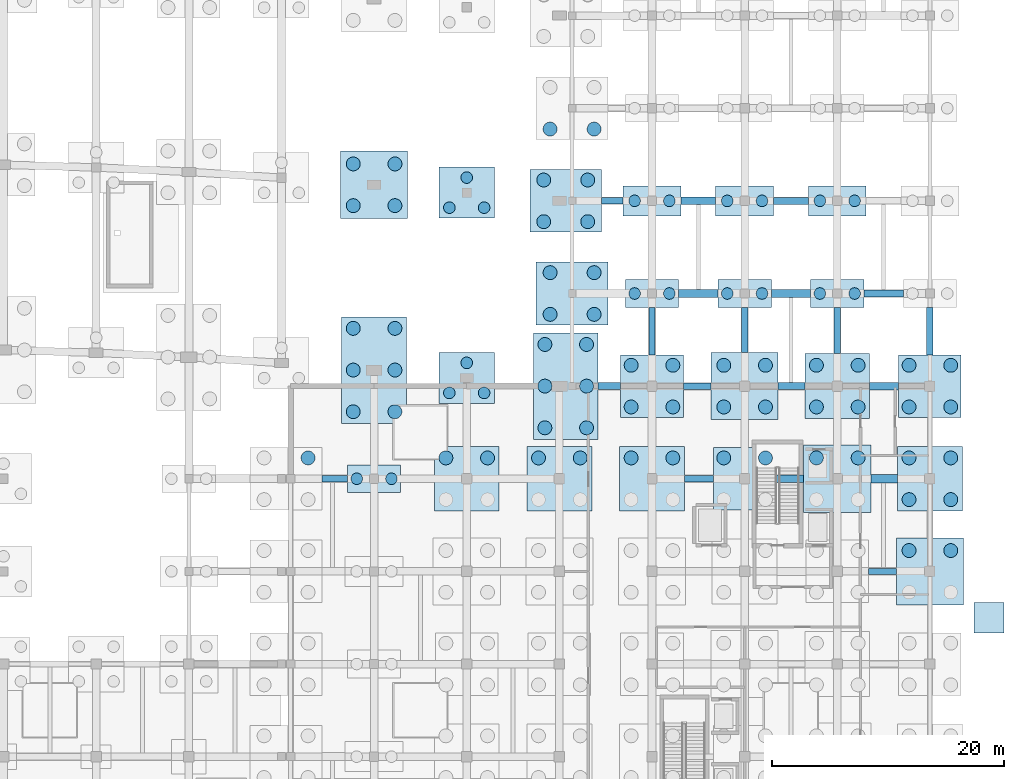
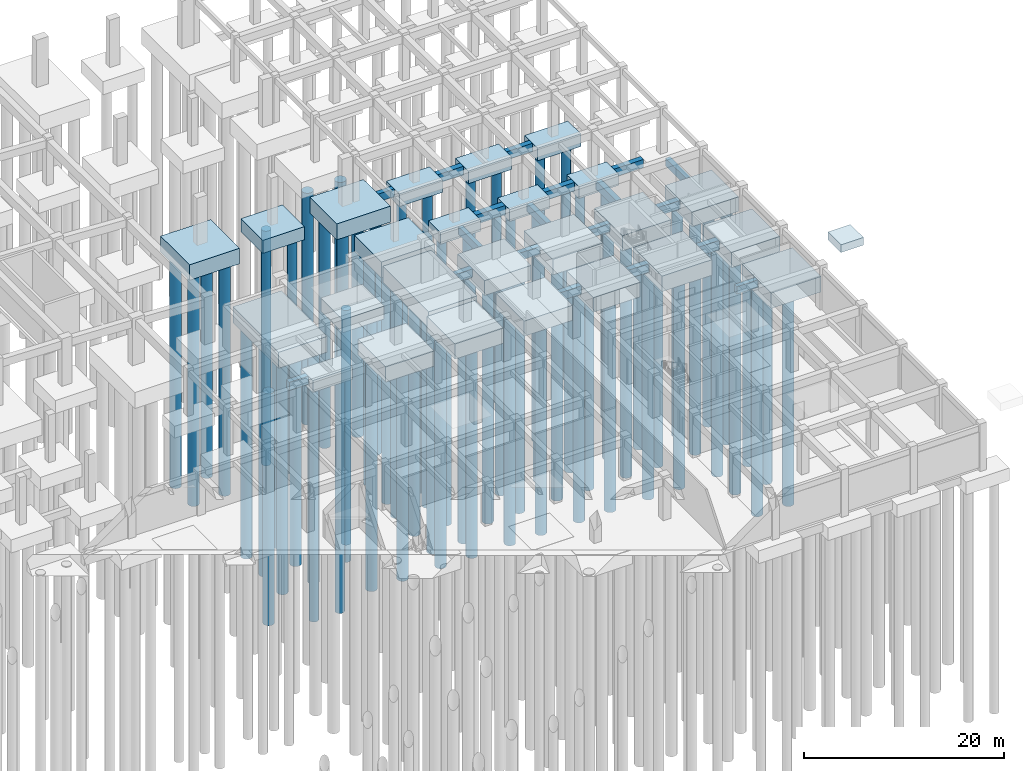
# One storey, part 8 of 45: 79 piles, 45 footings.
"""IFC4 building model written with IfcOpenShell, lengths in metres."""

from ifc_helpers import new_model, si_unit, direction, frame, origin, origin_2d, place, context, subcontext, project, spatial, rectangle, circle, extrude, material, material_profile, profile_set, type_object, element, save


model = new_model("IFC4")

# Units and contexts
model_context = context("Model", 3, precision=1e-05, world=origin(), true_north=direction((0.0, 1.0)))
body_context = subcontext(model_context, "Body", "Model", "MODEL_VIEW")
ifc_project = project(units=[si_unit("LENGTHUNIT", "METRE"), si_unit("AREAUNIT", "SQUARE_METRE"), si_unit("VOLUMEUNIT", "CUBIC_METRE"), si_unit("PLANEANGLEUNIT", "RADIAN"), si_unit("MASSUNIT", "GRAM", prefix="KILO")], contexts=[model_context])

# Site, building, storey
site_placement = place(None, origin())
site = spatial("IfcSite", under=ifc_project, at=site_placement, CompositionType="ELEMENT")
building_placement = place(site_placement, origin())
building = spatial("IfcBuilding", under=site, at=building_placement, Name="Kenh Van Central Station", CompositionType="ELEMENT")
storey_placement = place(building_placement, frame((0.0, 0.0, -5.39990234375)))
storey = spatial("IfcBuildingStorey", under=building, at=storey_placement, Name="B1", CompositionType="ELEMENT", Elevation=-5.39990234375)

# Footings
ifc_material = material(Name="Concrete C40/50", Category="concrete")
ifc_material_profile_1 = material_profile(ifc_material, rectangle(XDim=0.5, YDim=0.89990234375, at=origin_2d()), Name="RC 500x900")
ifc_profile_set_1 = profile_set([ifc_material_profile_1], Name="Concrete C40/50")
footing_type_1 = type_object("IfcFootingType", Name="FBM-500x900", PredefinedType="FOOTING_BEAM", material=ifc_profile_set_1)
footing_1_placement = place(storey_placement, frame((152.0, 66.699951171875, -0.85009765625), z_axis=(0.0, 1.0, 0.0), x_axis=(-1.0, 0.0, 0.0)))
element("IfcFooting", 1, at=footing_1_placement, inside=storey, type_object=footing_type_1, Name="Ground tie beam 109", PredefinedType="FOOTING_BEAM", context=body_context, shape_type="SweptSolid", body=[
    extrude(rectangle(XDim=0.5, YDim=0.89990234375, at=origin_2d()), origin(), (0.0, 0.0, 1.0), 4.10009765625),
])
footing_2_placement = place(storey_placement, frame((170.699951171875, 48.0, -0.85009765625), z_axis=(1.0, 0.0, 0.0), x_axis=(0.0, 1.0, 0.0)))
element("IfcFooting", 2, at=footing_2_placement, inside=storey, type_object=footing_type_1, Name="Ground tie beam 124", PredefinedType="FOOTING_BEAM", context=body_context, shape_type="SweptSolid", body=[
    extrude(rectangle(XDim=0.5, YDim=0.89990234375, at=origin_2d()), origin(), (0.0, 0.0, 1.0), 2.400146484375),
])
ifc_material_profile_2 = material_profile(ifc_material, rectangle(XDim=0.550048828125, YDim=0.949951171875, at=origin_2d()), Name="RC 550x950")
ifc_profile_set_2 = profile_set([ifc_material_profile_2], Name="Concrete C40/50")
footing_type_2 = type_object("IfcFootingType", Name="FBM-550x950", PredefinedType="FOOTING_BEAM", material=ifc_profile_set_2)
footing_3_placement = place(storey_placement, frame((147.64990234375, 80.0, -0.875), z_axis=(1.0, 0.0, 0.0), x_axis=(0.0, 1.0, 0.0)))
element("IfcFooting", 3, at=footing_3_placement, inside=storey, type_object=footing_type_2, Name="Ground tie beam 003", PredefinedType="FOOTING_BEAM", context=body_context, shape_type="SweptSolid", body=[
    extrude(rectangle(XDim=0.550048828125, YDim=0.949951171875, at=origin_2d()), origin(), (0.0, 0.0, 1.0), 1.85009765625),
])
footing_4_placement = place(storey_placement, frame((154.699951171875, 64.0, -0.875), z_axis=(1.0, 0.0, 0.0), x_axis=(0.0, 1.0, 0.0)))
element("IfcFooting", 4, at=footing_4_placement, inside=storey, type_object=footing_type_2, Name="Ground tie beam 108", PredefinedType="FOOTING_BEAM", context=body_context, shape_type="SweptSolid", body=[
    extrude(rectangle(XDim=0.550048828125, YDim=0.949951171875, at=origin_2d()), origin(), (0.0, 0.0, 1.0), 2.400146484375),
])
footing_5_placement = place(storey_placement, frame((160.0, 66.89990234375, -0.875), z_axis=(0.0, 1.0, 0.0), x_axis=(-1.0, 0.0, 0.0)))
element("IfcFooting", 5, at=footing_5_placement, inside=storey, type_object=footing_type_2, Name="Ground tie beam 118", PredefinedType="FOOTING_BEAM", context=body_context, shape_type="SweptSolid", body=[
    extrude(rectangle(XDim=0.550048828125, YDim=0.949951171875, at=origin_2d()), origin(), (0.0, 0.0, 1.0), 3.900146484375),
])
footing_6_placement = place(storey_placement, frame((176.0, 66.699951171875, -0.875), z_axis=(0.0, 1.0, 0.0), x_axis=(-1.0, 0.0, 0.0)))
element("IfcFooting", 6, at=footing_6_placement, inside=storey, type_object=footing_type_2, Name="Ground tie beam 128", PredefinedType="FOOTING_BEAM", context=body_context, shape_type="SweptSolid", body=[
    extrude(rectangle(XDim=0.550048828125, YDim=0.949951171875, at=origin_2d()), origin(), (0.0, 0.0, 1.0), 4.10009765625),
])
ifc_material_profile_3 = material_profile(ifc_material, rectangle(XDim=0.60009765625, YDim=1.0, at=origin_2d()), Name="RC 600x1000")
ifc_profile_set_3 = profile_set([ifc_material_profile_3], Name="Concrete C40/50")
footing_type_3 = type_object("IfcFootingType", Name="FBM-600x1000", PredefinedType="FOOTING_BEAM", material=ifc_profile_set_3)
footing_7_placement = place(storey_placement, frame((147.35009765625, 64.0, -0.900146484375), z_axis=(1.0, 0.0, 0.0), x_axis=(0.0, 1.0, 0.0)))
element("IfcFooting", 7, at=footing_7_placement, inside=storey, type_object=footing_type_3, Name="Ground tie beam 002", PredefinedType="FOOTING_BEAM", context=body_context, shape_type="SweptSolid", body=[
    extrude(rectangle(XDim=0.60009765625, YDim=1.0, at=origin_2d()), origin(), (0.0, 0.0, 1.0), 1.949951171875),
])
footing_8_placement = place(storey_placement, frame((123.5, 56.0, -0.900146484375), z_axis=(1.0, 0.0, 0.0), x_axis=(0.0, 1.0, 0.0)))
element("IfcFooting", 8, at=footing_8_placement, inside=storey, type_object=footing_type_3, Name="Ground tie beam 092", PredefinedType="FOOTING_BEAM", context=body_context, shape_type="SweptSolid", body=[
    extrude(rectangle(XDim=0.60009765625, YDim=1.0, at=origin_2d()), origin(), (0.0, 0.0, 1.0), 2.199951171875),
])
footing_9_placement = place(storey_placement, frame((154.800048828125, 56.0, -0.900146484375), z_axis=(1.0, 0.0, 0.0), x_axis=(0.0, 1.0, 0.0)))
element("IfcFooting", 9, at=footing_9_placement, inside=storey, type_object=footing_type_3, Name="Ground tie beam 107", PredefinedType="FOOTING_BEAM", context=body_context, shape_type="SweptSolid", body=[
    extrude(rectangle(XDim=0.60009765625, YDim=1.0, at=origin_2d()), origin(), (0.0, 0.0, 1.0), 2.5),
])
footing_10_placement = place(storey_placement, frame((162.89990234375, 64.0, -0.900146484375), z_axis=(1.0, 0.0, 0.0), x_axis=(0.0, 1.0, 0.0)))
element("IfcFooting", 10, at=footing_10_placement, inside=storey, type_object=footing_type_3, Name="Ground tie beam 117", PredefinedType="FOOTING_BEAM", context=body_context, shape_type="SweptSolid", body=[
    extrude(rectangle(XDim=0.60009765625, YDim=1.0, at=origin_2d()), origin(), (0.0, 0.0, 1.0), 2.300048828125),
])
footing_11_placement = place(storey_placement, frame((168.0, 66.800048828125, -0.900146484375), z_axis=(0.0, 1.0, 0.0), x_axis=(-1.0, 0.0, 0.0)))
element("IfcFooting", 11, at=footing_11_placement, inside=storey, type_object=footing_type_3, Name="Ground tie beam 127", PredefinedType="FOOTING_BEAM", context=body_context, shape_type="SweptSolid", body=[
    extrude(rectangle(XDim=0.60009765625, YDim=1.0, at=origin_2d()), origin(), (0.0, 0.0, 1.0), 4.0),
])
footing_12_placement = place(storey_placement, frame((162.5, 80.0, -0.900146484375), z_axis=(1.0, 0.0, 0.0), x_axis=(0.0, 1.0, 0.0)))
element("IfcFooting", 12, at=footing_12_placement, inside=storey, type_object=footing_type_3, Name="Ground tie beam 137", PredefinedType="FOOTING_BEAM", context=body_context, shape_type="SweptSolid", body=[
    extrude(rectangle(XDim=0.60009765625, YDim=1.0, at=origin_2d()), origin(), (0.0, 0.0, 1.0), 3.0),
])
footing_13_placement = place(storey_placement, frame((170.300048828125, 72.0, -0.900146484375), z_axis=(1.0, 0.0, 0.0), x_axis=(0.0, 1.0, 0.0)))
element("IfcFooting", 13, at=footing_13_placement, inside=storey, type_object=footing_type_3, Name="Ground tie beam 142", PredefinedType="FOOTING_BEAM", context=body_context, shape_type="SweptSolid", body=[
    extrude(rectangle(XDim=0.60009765625, YDim=1.0, at=origin_2d()), origin(), (0.0, 0.0, 1.0), 3.39990234375),
])
ifc_material_profile_4 = material_profile(ifc_material, rectangle(XDim=0.64990234375, YDim=1.050048828125, at=origin_2d()), Name="RC 650x1050")
ifc_profile_set_4 = profile_set([ifc_material_profile_4], Name="Concrete C40/50")
footing_type_4 = type_object("IfcFootingType", Name="FBM-650x1050", PredefinedType="FOOTING_BEAM", material=ifc_profile_set_4)
footing_14_placement = place(storey_placement, frame((162.699951171875, 56.0, -0.925048828125), z_axis=(1.0, 0.0, 0.0), x_axis=(0.0, 1.0, 0.0)))
element("IfcFooting", 14, at=footing_14_placement, inside=storey, type_object=footing_type_4, Name="Ground tie beam 116", PredefinedType="FOOTING_BEAM", context=body_context, shape_type="SweptSolid", body=[
    extrude(rectangle(XDim=0.64990234375, YDim=1.050048828125, at=origin_2d()), origin(), (0.0, 0.0, 1.0), 2.400146484375),
])
footing_15_placement = place(storey_placement, frame((170.800048828125, 64.0, -0.925048828125), z_axis=(1.0, 0.0, 0.0), x_axis=(0.0, 1.0, 0.0)))
element("IfcFooting", 15, at=footing_15_placement, inside=storey, type_object=footing_type_4, Name="Ground tie beam 126", PredefinedType="FOOTING_BEAM", context=body_context, shape_type="SweptSolid", body=[
    extrude(rectangle(XDim=0.64990234375, YDim=1.050048828125, at=origin_2d()), origin(), (0.0, 0.0, 1.0), 2.5),
])
footing_16_placement = place(storey_placement, frame((154.5, 80.0, -0.925048828125), z_axis=(1.0, 0.0, 0.0), x_axis=(0.0, 1.0, 0.0)))
element("IfcFooting", 16, at=footing_16_placement, inside=storey, type_object=footing_type_4, Name="Ground tie beam 131", PredefinedType="FOOTING_BEAM", context=body_context, shape_type="SweptSolid", body=[
    extrude(rectangle(XDim=0.64990234375, YDim=1.050048828125, at=origin_2d()), origin(), (0.0, 0.0, 1.0), 3.0),
])
footing_17_placement = place(storey_placement, frame((162.300048828125, 72.0, -0.925048828125), z_axis=(1.0, 0.0, 0.0), x_axis=(0.0, 1.0, 0.0)))
element("IfcFooting", 17, at=footing_17_placement, inside=storey, type_object=footing_type_4, Name="Ground tie beam 136", PredefinedType="FOOTING_BEAM", context=body_context, shape_type="SweptSolid", body=[
    extrude(rectangle(XDim=0.64990234375, YDim=1.050048828125, at=origin_2d()), origin(), (0.0, 0.0, 1.0), 3.39990234375),
])
ifc_material_profile_5 = material_profile(ifc_material, rectangle(XDim=0.699951171875, YDim=1.14990234375, at=origin_2d()), Name="RC 700x1150")
ifc_profile_set_5 = profile_set([ifc_material_profile_5], Name="Concrete C40/50")
footing_type_5 = type_object("IfcFootingType", Name="FBM-700x1150", PredefinedType="FOOTING_BEAM", material=ifc_profile_set_5)
footing_18_placement = place(storey_placement, frame((170.89990234375, 56.0, -0.97509765625), z_axis=(1.0, 0.0, 0.0), x_axis=(0.0, 1.0, 0.0)))
element("IfcFooting", 18, at=footing_18_placement, inside=storey, type_object=footing_type_5, Name="Ground tie beam 125", PredefinedType="FOOTING_BEAM", context=body_context, shape_type="SweptSolid", body=[
    extrude(rectangle(XDim=0.699951171875, YDim=1.14990234375, at=origin_2d()), origin(), (0.0, 0.0, 1.0), 2.300048828125),
])
footing_19_placement = place(storey_placement, frame((154.300048828125, 72.0, -0.97509765625), z_axis=(1.0, 0.0, 0.0), x_axis=(0.0, 1.0, 0.0)))
element("IfcFooting", 19, at=footing_19_placement, inside=storey, type_object=footing_type_5, Name="Ground tie beam 130", PredefinedType="FOOTING_BEAM", context=body_context, shape_type="SweptSolid", body=[
    extrude(rectangle(XDim=0.699951171875, YDim=1.14990234375, at=origin_2d()), origin(), (0.0, 0.0, 1.0), 3.39990234375),
])
footing_type_6 = type_object("IfcFootingType", Name="FCAP-2P-4600x2400x1450", PredefinedType="PILE_CAP", material=ifc_material)
for number, where, z_axis, x_axis, name in (
    (20, (128.0, 56.0, -1.85009765625), (0.0, 0.0, 1.0), (1.0, 0.0, 0.0), "Foundation FDN-197"),
    (21, (152.0, 72.0, -1.85009765625), (0.0, 0.0, 1.0), (1.0, 0.0, 0.0), "Foundation FDN-247"),
    (22, (160.0, 72.0, -1.85009765625), (0.0, 0.0, 1.0), (1.0, 0.0, 0.0), "Foundation FDN-253"),
    (23, (168.0, 72.0, -1.85009765625), (0.0, 0.0, 1.0), (1.0, 0.0, 0.0), "Foundation FDN-259"),
):
    element("IfcFooting", number, at=place(storey_placement, frame(where, z_axis=z_axis, x_axis=x_axis)), inside=storey, type_object=footing_type_6, Name=name, PredefinedType="PILE_CAP", context=body_context, shape_type="SweptSolid", body=[
        extrude(rectangle(XDim=4.60009765625, YDim=2.39990234375, at=origin_2d()), origin(), (0.0, 0.0, 1.0), 1.449951171875),
    ])
footing_type_7 = type_object("IfcFootingType", Name="FCAP-2P-5000x2600x1550", PredefinedType="PILE_CAP", material=ifc_material)
for number, where, z_axis, x_axis, name in (
    (24, (152.0, 80.0, -1.9501953125), (0.0, 0.0, 1.0), (1.0, 0.0, 0.0), "Foundation FDN-248"),
    (25, (160.0, 80.0, -1.9501953125), (0.0, 0.0, 1.0), (1.0, 0.0, 0.0), "Foundation FDN-254"),
    (26, (168.0, 80.0, -1.9501953125), (0.0, 0.0, 1.0), (1.0, 0.0, 0.0), "Foundation FDN-260"),
):
    element("IfcFooting", number, at=place(storey_placement, frame(where, z_axis=z_axis, x_axis=x_axis)), inside=storey, type_object=footing_type_7, Name=name, PredefinedType="PILE_CAP", context=body_context, shape_type="SweptSolid", body=[
        extrude(rectangle(XDim=5.0, YDim=2.60009765625, at=origin_2d()), origin(), (0.0, 0.0, 1.0), 1.550048828125),
    ])
footing_type_8 = type_object("IfcFootingType", Name="FCAP-3P-4800x4400x1600", PredefinedType="PILE_CAP", material=ifc_material)
for number, where, z_axis, x_axis, name in (
    (27, (136.0, 64.712158203125, -2.000244140625), (0.0, 0.0, 1.0), (1.0, 0.0, 0.0), "Foundation FDN-053"),
    (28, (136.0, 80.712158203125, -2.000244140625), (0.0, 0.0, 1.0), (1.0, 0.0, 0.0), "Foundation FDN-054"),
):
    element("IfcFooting", number, at=place(storey_placement, frame(where, z_axis=z_axis, x_axis=x_axis)), inside=storey, type_object=footing_type_8, Name=name, PredefinedType="PILE_CAP", context=body_context, shape_type="SweptSolid", body=[
        extrude(rectangle(XDim=4.800048828125, YDim=4.39990234375, at=origin_2d()), origin(), (0.0, 0.0, 1.0), 1.60009765625),
    ])
footing_type_9 = type_object("IfcFootingType", Name="FCAP-4P-5400x5400x1800", PredefinedType="PILE_CAP", material=ifc_material)
for number, where, z_axis, x_axis, name in (
    (29, (152.0, 64.0, -2.2001953125), (0.0, 0.0, 1.0), (1.0, 0.0, 0.0), "Foundation FDN-219"),
    (30, (160.0, 56.0, -2.2001953125), (0.0, 0.0, 1.0), (1.0, 0.0, 0.0), "Foundation FDN-226"),
    (31, (176.0, 64.0, -2.2001953125), (0.0, 0.0, 1.0), (1.0, 0.0, 0.0), "Foundation FDN-243"),
):
    element("IfcFooting", number, at=place(storey_placement, frame(where, z_axis=z_axis, x_axis=x_axis)), inside=storey, type_object=footing_type_9, Name=name, PredefinedType="PILE_CAP", context=body_context, shape_type="SweptSolid", body=[
        extrude(rectangle(XDim=5.39990234375, YDim=5.39990234375, at=origin_2d()), origin(), (0.0, 0.0, 1.0), 1.800048828125),
    ])
footing_type_10 = type_object("IfcFootingType", Name="FCAP-4P-5600x5600x1850", PredefinedType="PILE_CAP", material=ifc_material)
for number, where, z_axis, x_axis, name in (
    (32, (136.0, 56.0, -2.250244140625), (0.0, 0.0, 1.0), (1.0, 0.0, 0.0), "Foundation FDN-204"),
    (33, (144.0, 56.0, -2.250244140625), (0.0, 0.0, 1.0), (1.0, 0.0, 0.0), "Foundation FDN-211"),
    (34, (152.0, 56.0, -2.250244140625), (0.0, 0.0, 1.0), (1.0, 0.0, 0.0), "Foundation FDN-218"),
    (35, (168.0, 64.0, -2.250244140625), (0.0, 0.0, 1.0), (1.0, 0.0, 0.0), "Foundation FDN-235"),
    (36, (176.0, 56.0, -2.250244140625), (0.0, 0.0, 1.0), (1.0, 0.0, 0.0), "Foundation FDN-242"),
):
    element("IfcFooting", number, at=place(storey_placement, frame(where, z_axis=z_axis, x_axis=x_axis)), inside=storey, type_object=footing_type_10, Name=name, PredefinedType="PILE_CAP", context=body_context, shape_type="SweptSolid", body=[
        extrude(rectangle(XDim=5.60009765625, YDim=5.60009765625, at=origin_2d()), origin(), (0.0, 0.0, 1.0), 1.85009765625),
    ])
footing_type_11 = type_object("IfcFootingType", Name="FCAP-4P-5800x5800x1900", PredefinedType="PILE_CAP", material=ifc_material)
for number, where, z_axis, x_axis, name in (
    (37, (128.0, 81.388427734375, -2.300048828125), (0.0, 0.0, 1.0), (1.0, 0.0, 0.0), "Foundation FDN-050"),
    (38, (160.0, 64.0, -2.300048828125), (0.0, 0.0, 1.0), (1.0, 0.0, 0.0), "Foundation FDN-227"),
    (39, (168.0, 56.0, -2.300048828125), (0.0, 0.0, 1.0), (1.0, 0.0, 0.0), "Foundation FDN-234"),
    (40, (176.0, 48.0, -2.300048828125), (0.0, 0.0, 1.0), (1.0, 0.0, 0.0), "Foundation FDN-241"),
):
    element("IfcFooting", number, at=place(storey_placement, frame(where, z_axis=z_axis, x_axis=x_axis)), inside=storey, type_object=footing_type_11, Name=name, PredefinedType="PILE_CAP", context=body_context, shape_type="SweptSolid", body=[
        extrude(rectangle(XDim=5.800048828125, YDim=5.800048828125, at=origin_2d()), origin(), (0.0, 0.0, 1.0), 1.89990234375),
    ])
footing_type_12 = type_object("IfcFootingType", Name="FCAP-4P-6200x5400x1950", PredefinedType="PILE_CAP", material=ifc_material)
for number, where, z_axis, x_axis, name in (
    (41, (144.550048828125, 80.0, -2.35009765625), (0.0, 0.0, 1.0), (1.0, 0.0, 0.0), "Foundation FDN-058"),
    (42, (145.10009765625, 72.0, -2.35009765625), (0.0, 0.0, 1.0), (1.0, 0.0, 0.0), "Foundation FDN-244"),
):
    element("IfcFooting", number, at=place(storey_placement, frame(where, z_axis=z_axis, x_axis=x_axis)), inside=storey, type_object=footing_type_12, Name=name, PredefinedType="PILE_CAP", context=body_context, shape_type="SweptSolid", body=[
        extrude(rectangle(XDim=6.199951171875, YDim=5.39990234375, at=origin_2d()), origin(), (0.0, 0.0, 1.0), 1.949951171875),
    ])
footing_type_13 = type_object("IfcFootingType", Name="FCAP-6P-9200x5600x1950", PredefinedType="PILE_CAP", material=ifc_material)
for number, where, z_axis, x_axis, name in (
    (43, (128.0, 65.388427734375, -2.35009765625), (0.0, 0.0, 1.0), (0.0, 1.0, 0.0), "Foundation FDN-049"),
    (44, (144.550048828125, 64.0, -2.35009765625), (0.0, 0.0, 1.0), (0.0, 1.0, 0.0), "Foundation FDN-057"),
):
    element("IfcFooting", number, at=place(storey_placement, frame(where, z_axis=z_axis, x_axis=x_axis)), inside=storey, type_object=footing_type_13, Name=name, PredefinedType="PILE_CAP", context=body_context, shape_type="SweptSolid", body=[
        extrude(rectangle(XDim=9.199951171875, YDim=5.60009765625, at=origin_2d()), origin(), (0.0, 0.0, 1.0), 1.949951171875),
    ])
footing_type_14 = type_object("IfcFootingType", Name="FPAD-2600x2600x950", PredefinedType="PAD_FOOTING", material=ifc_material)
footing_20_placement = place(storey_placement, frame((181.10009765625, 44.0, 3.64990234375), z_axis=(0.0, 0.0, 1.0), x_axis=(-1.0, 0.0, 0.0)))
element("IfcFooting", 45, at=footing_20_placement, inside=storey, type_object=footing_type_14, Name="Operations East Entrance Accessible Ramp landing footing", PredefinedType="PAD_FOOTING", context=body_context, shape_type="SweptSolid", body=[
    extrude(rectangle(XDim=2.60009765625, YDim=2.60009765625, at=origin_2d()), origin(), (0.0, 0.0, 1.0), 0.949951171875),
])

# Piles
ifc_material_profile_6 = material_profile(ifc_material, circle(Radius=0.5, at=origin_2d()), Name="PILE D1000")
ifc_profile_set_6 = profile_set([ifc_material_profile_6], Name="Concrete C40/50")
pile_type_1 = type_object("IfcPileType", Name="PILE-BORED-1000", PredefinedType="BORED", material=ifc_profile_set_6)
for number, where, z_axis, x_axis, name in (
    (46, (134.5, 63.412109375, -1.900146484375), (0.0, 0.0, -1.0), (1.0, 0.0, 0.0), "Bored pile 0213"),
    (47, (137.5, 63.412109375, -1.900146484375), (0.0, 0.0, -1.0), (1.0, 0.0, 0.0), "Bored pile 0214"),
    (48, (136.0, 66.01220703125, -1.900146484375), (0.0, 0.0, -1.0), (1.0, 0.0, 0.0), "Bored pile 0215"),
    (49, (134.5, 79.412109375, -1.900146484375), (0.0, 0.0, -1.0), (1.0, 0.0, 0.0), "Bored pile 0216"),
    (50, (137.5, 79.412109375, -1.900146484375), (0.0, 0.0, -1.0), (1.0, 0.0, 0.0), "Bored pile 0217"),
    (51, (136.0, 82.01220703125, -1.900146484375), (0.0, 0.0, -1.0), (1.0, 0.0, 0.0), "Bored pile 0218"),
):
    element("IfcPile", number, at=place(storey_placement, frame(where, z_axis=z_axis, x_axis=x_axis)), inside=storey, type_object=pile_type_1, Name=name, PredefinedType="BORED", context=body_context, shape_type="SweptSolid", body=[
        extrude(circle(Radius=0.5, at=origin_2d()), origin(), (0.0, 0.0, 1.0), 28.699951171875),
    ])
for number, where, z_axis, x_axis, name in (
    (52, (126.5, 56.0, -1.75), (0.0, 0.0, -1.0), (1.0, 0.0, 0.0), "Bored pile 0462"),
    (53, (129.5, 56.0, -1.75), (0.0, 0.0, -1.0), (1.0, 0.0, 0.0), "Bored pile 0463"),
    (54, (150.5, 72.0, -1.75), (0.0, 0.0, -1.0), (1.0, 0.0, 0.0), "Bored pile 0648"),
    (55, (153.5, 72.0, -1.75), (0.0, 0.0, -1.0), (1.0, 0.0, 0.0), "Bored pile 0649"),
):
    element("IfcPile", number, at=place(storey_placement, frame(where, z_axis=z_axis, x_axis=x_axis)), inside=storey, type_object=pile_type_1, Name=name, PredefinedType="BORED", context=body_context, shape_type="SweptSolid", body=[
        extrude(circle(Radius=0.5, at=origin_2d()), origin(), (0.0, 0.0, 1.0), 28.85009765625),
    ])
for number, where, z_axis, x_axis, name in (
    (56, (150.5, 80.0, -1.85009765625), (0.0, 0.0, -1.0), (1.0, 0.0, 0.0), "Bored pile 0650"),
    (57, (153.5, 80.0, -1.85009765625), (0.0, 0.0, -1.0), (1.0, 0.0, 0.0), "Bored pile 0651"),
):
    element("IfcPile", number, at=place(storey_placement, frame(where, z_axis=z_axis, x_axis=x_axis)), inside=storey, type_object=pile_type_1, Name=name, PredefinedType="BORED", context=body_context, shape_type="SweptSolid", body=[
        extrude(circle(Radius=0.5, at=origin_2d()), origin(), (0.0, 0.0, 1.0), 28.75),
    ])
for number, where, z_axis, x_axis, name in (
    (58, (158.5, 72.0, -1.75), (0.0, 0.0, -1.0), (1.0, 0.0, 0.0), "Bored pile 0660"),
    (59, (161.5, 72.0, -1.75), (0.0, 0.0, -1.0), (1.0, 0.0, 0.0), "Bored pile 0661"),
):
    element("IfcPile", number, at=place(storey_placement, frame(where, z_axis=z_axis, x_axis=x_axis)), inside=storey, type_object=pile_type_1, Name=name, PredefinedType="BORED", context=body_context, shape_type="SweptSolid", body=[
        extrude(circle(Radius=0.5, at=origin_2d()), origin(), (0.0, 0.0, 1.0), 28.85009765625),
    ])
for number, where, z_axis, x_axis, name in (
    (60, (158.5, 80.0, -1.85009765625), (0.0, 0.0, -1.0), (1.0, 0.0, 0.0), "Bored pile 0662"),
    (61, (161.5, 80.0, -1.85009765625), (0.0, 0.0, -1.0), (1.0, 0.0, 0.0), "Bored pile 0663"),
):
    element("IfcPile", number, at=place(storey_placement, frame(where, z_axis=z_axis, x_axis=x_axis)), inside=storey, type_object=pile_type_1, Name=name, PredefinedType="BORED", context=body_context, shape_type="SweptSolid", body=[
        extrude(circle(Radius=0.5, at=origin_2d()), origin(), (0.0, 0.0, 1.0), 28.75),
    ])
for number, where, z_axis, x_axis, name in (
    (62, (166.5, 72.0, -1.75), (0.0, 0.0, -1.0), (1.0, 0.0, 0.0), "Bored pile 0672"),
    (63, (169.5, 72.0, -1.75), (0.0, 0.0, -1.0), (1.0, 0.0, 0.0), "Bored pile 0673"),
):
    element("IfcPile", number, at=place(storey_placement, frame(where, z_axis=z_axis, x_axis=x_axis)), inside=storey, type_object=pile_type_1, Name=name, PredefinedType="BORED", context=body_context, shape_type="SweptSolid", body=[
        extrude(circle(Radius=0.5, at=origin_2d()), origin(), (0.0, 0.0, 1.0), 28.85009765625),
    ])
for number, where, z_axis, x_axis, name in (
    (64, (166.5, 80.0, -1.85009765625), (0.0, 0.0, -1.0), (1.0, 0.0, 0.0), "Bored pile 0674"),
    (65, (169.5, 80.0, -1.85009765625), (0.0, 0.0, -1.0), (1.0, 0.0, 0.0), "Bored pile 0675"),
):
    element("IfcPile", number, at=place(storey_placement, frame(where, z_axis=z_axis, x_axis=x_axis)), inside=storey, type_object=pile_type_1, Name=name, PredefinedType="BORED", context=body_context, shape_type="SweptSolid", body=[
        extrude(circle(Radius=0.5, at=origin_2d()), origin(), (0.0, 0.0, 1.0), 28.75),
    ])
ifc_material_profile_7 = material_profile(ifc_material, circle(Radius=0.60009765625, at=origin_2d()), Name="PILE D1200")
ifc_profile_set_7 = profile_set([ifc_material_profile_7], Name="Concrete C40/50")
pile_type_2 = type_object("IfcPileType", Name="PILE-BORED-1200", PredefinedType="BORED", material=ifc_profile_set_7)
for number, where, z_axis, x_axis, name in (
    (66, (126.199951171875, 61.788330078125, -2.25), (0.0, 0.0, -1.0), (1.0, 0.0, 0.0), "Bored pile 0193"),
    (67, (126.199951171875, 65.388427734375, -2.25), (0.0, 0.0, -1.0), (1.0, 0.0, 0.0), "Bored pile 0194"),
    (68, (126.199951171875, 68.98828125, -2.25), (0.0, 0.0, -1.0), (1.0, 0.0, 0.0), "Bored pile 0195"),
    (69, (129.800048828125, 61.788330078125, -2.25), (0.0, 0.0, -1.0), (1.0, 0.0, 0.0), "Bored pile 0196"),
    (70, (129.800048828125, 65.388427734375, -2.25), (0.0, 0.0, -1.0), (1.0, 0.0, 0.0), "Bored pile 0197"),
    (71, (129.800048828125, 68.98828125, -2.25), (0.0, 0.0, -1.0), (1.0, 0.0, 0.0), "Bored pile 0198"),
):
    element("IfcPile", number, at=place(storey_placement, frame(where, z_axis=z_axis, x_axis=x_axis)), inside=storey, type_object=pile_type_2, Name=name, PredefinedType="BORED", context=body_context, shape_type="SweptSolid", body=[
        extrude(circle(Radius=0.60009765625, at=origin_2d()), origin(), (0.0, 0.0, 1.0), 28.35009765625),
    ])
for number, where, z_axis, x_axis, name in (
    (72, (126.199951171875, 79.58837890625, -2.2001953125), (0.0, 0.0, -1.0), (1.0, 0.0, 0.0), "Bored pile 0199"),
    (73, (126.199951171875, 83.1884765625, -2.2001953125), (0.0, 0.0, -1.0), (1.0, 0.0, 0.0), "Bored pile 0200"),
    (74, (129.800048828125, 79.58837890625, -2.2001953125), (0.0, 0.0, -1.0), (1.0, 0.0, 0.0), "Bored pile 0201"),
    (75, (129.800048828125, 83.1884765625, -2.2001953125), (0.0, 0.0, -1.0), (1.0, 0.0, 0.0), "Bored pile 0202"),
):
    element("IfcPile", number, at=place(storey_placement, frame(where, z_axis=z_axis, x_axis=x_axis)), inside=storey, type_object=pile_type_2, Name=name, PredefinedType="BORED", context=body_context, shape_type="SweptSolid", body=[
        extrude(circle(Radius=0.60009765625, at=origin_2d()), origin(), (0.0, 0.0, 1.0), 28.39990234375),
    ])
for number, where, z_axis, x_axis, name in (
    (76, (142.75, 60.39990234375, -2.25), (0.0, 0.0, -1.0), (1.0, 0.0, 0.0), "Bored pile 0225"),
    (77, (142.75, 64.0, -2.25), (0.0, 0.0, -1.0), (1.0, 0.0, 0.0), "Bored pile 0226"),
    (78, (142.75, 67.60009765625, -2.25), (0.0, 0.0, -1.0), (1.0, 0.0, 0.0), "Bored pile 0227"),
    (79, (146.35009765625, 60.39990234375, -2.25), (0.0, 0.0, -1.0), (1.0, 0.0, 0.0), "Bored pile 0228"),
    (80, (146.35009765625, 64.0, -2.25), (0.0, 0.0, -1.0), (1.0, 0.0, 0.0), "Bored pile 0229"),
    (81, (146.35009765625, 67.60009765625, -2.25), (0.0, 0.0, -1.0), (1.0, 0.0, 0.0), "Bored pile 0230"),
    (82, (142.64990234375, 78.199951171875, -2.25), (0.0, 0.0, -1.0), (1.0, 0.0, 0.0), "Bored pile 0231"),
    (83, (142.64990234375, 81.800048828125, -2.25), (0.0, 0.0, -1.0), (1.0, 0.0, 0.0), "Bored pile 0232"),
    (84, (146.449951171875, 78.199951171875, -2.25), (0.0, 0.0, -1.0), (1.0, 0.0, 0.0), "Bored pile 0233"),
    (85, (146.449951171875, 81.800048828125, -2.25), (0.0, 0.0, -1.0), (1.0, 0.0, 0.0), "Bored pile 0234"),
    (86, (122.300048828125, 57.800048828125, -2.25), (0.0, 0.0, -1.0), (1.0, 0.0, 0.0), "Bored pile 0415"),
):
    element("IfcPile", number, at=place(storey_placement, frame(where, z_axis=z_axis, x_axis=x_axis)), inside=storey, type_object=pile_type_2, Name=name, PredefinedType="BORED", context=body_context, shape_type="SweptSolid", body=[
        extrude(circle(Radius=0.60009765625, at=origin_2d()), origin(), (0.0, 0.0, 1.0), 28.35009765625),
    ])
for number, where, z_axis, x_axis, name in (
    (87, (134.199951171875, 57.800048828125, -2.150146484375), (0.0, 0.0, -1.0), (1.0, 0.0, 0.0), "Bored pile 0487"),
    (88, (137.800048828125, 57.800048828125, -2.150146484375), (0.0, 0.0, -1.0), (1.0, 0.0, 0.0), "Bored pile 0489"),
    (89, (142.199951171875, 57.800048828125, -2.150146484375), (0.0, 0.0, -1.0), (1.0, 0.0, 0.0), "Bored pile 0513"),
    (90, (145.800048828125, 57.800048828125, -2.150146484375), (0.0, 0.0, -1.0), (1.0, 0.0, 0.0), "Bored pile 0515"),
    (91, (150.199951171875, 57.800048828125, -2.150146484375), (0.0, 0.0, -1.0), (1.0, 0.0, 0.0), "Bored pile 0539"),
    (92, (153.800048828125, 57.800048828125, -2.150146484375), (0.0, 0.0, -1.0), (1.0, 0.0, 0.0), "Bored pile 0541"),
):
    element("IfcPile", number, at=place(storey_placement, frame(where, z_axis=z_axis, x_axis=x_axis)), inside=storey, type_object=pile_type_2, Name=name, PredefinedType="BORED", context=body_context, shape_type="SweptSolid", body=[
        extrude(circle(Radius=0.60009765625, at=origin_2d()), origin(), (0.0, 0.0, 1.0), 28.449951171875),
    ])
for number, where, z_axis, x_axis, name in (
    (93, (150.199951171875, 62.199951171875, -2.10009765625), (0.0, 0.0, -1.0), (1.0, 0.0, 0.0), "Bored pile 0542"),
    (94, (150.199951171875, 65.800048828125, -2.10009765625), (0.0, 0.0, -1.0), (1.0, 0.0, 0.0), "Bored pile 0543"),
    (95, (153.800048828125, 62.199951171875, -2.10009765625), (0.0, 0.0, -1.0), (1.0, 0.0, 0.0), "Bored pile 0544"),
    (96, (153.800048828125, 65.800048828125, -2.10009765625), (0.0, 0.0, -1.0), (1.0, 0.0, 0.0), "Bored pile 0545"),
    (97, (158.199951171875, 57.800048828125, -2.10009765625), (0.0, 0.0, -1.0), (1.0, 0.0, 0.0), "Bored pile 0569"),
    (98, (161.800048828125, 57.800048828125, -2.10009765625), (0.0, 0.0, -1.0), (1.0, 0.0, 0.0), "Bored pile 0571"),
):
    element("IfcPile", number, at=place(storey_placement, frame(where, z_axis=z_axis, x_axis=x_axis)), inside=storey, type_object=pile_type_2, Name=name, PredefinedType="BORED", context=body_context, shape_type="SweptSolid", body=[
        extrude(circle(Radius=0.60009765625, at=origin_2d()), origin(), (0.0, 0.0, 1.0), 28.5),
    ])
for number, where, z_axis, x_axis, name in (
    (99, (158.199951171875, 62.199951171875, -2.2001953125), (0.0, 0.0, -1.0), (1.0, 0.0, 0.0), "Bored pile 0572"),
    (100, (158.199951171875, 65.800048828125, -2.2001953125), (0.0, 0.0, -1.0), (1.0, 0.0, 0.0), "Bored pile 0573"),
    (101, (161.800048828125, 62.199951171875, -2.2001953125), (0.0, 0.0, -1.0), (1.0, 0.0, 0.0), "Bored pile 0574"),
    (102, (161.800048828125, 65.800048828125, -2.2001953125), (0.0, 0.0, -1.0), (1.0, 0.0, 0.0), "Bored pile 0575"),
    (103, (166.199951171875, 57.800048828125, -2.2001953125), (0.0, 0.0, -1.0), (1.0, 0.0, 0.0), "Bored pile 0599"),
    (104, (169.800048828125, 57.800048828125, -2.2001953125), (0.0, 0.0, -1.0), (1.0, 0.0, 0.0), "Bored pile 0601"),
):
    element("IfcPile", number, at=place(storey_placement, frame(where, z_axis=z_axis, x_axis=x_axis)), inside=storey, type_object=pile_type_2, Name=name, PredefinedType="BORED", context=body_context, shape_type="SweptSolid", body=[
        extrude(circle(Radius=0.60009765625, at=origin_2d()), origin(), (0.0, 0.0, 1.0), 28.39990234375),
    ])
for number, where, z_axis, x_axis, name in (
    (105, (166.199951171875, 62.199951171875, -2.150146484375), (0.0, 0.0, -1.0), (1.0, 0.0, 0.0), "Bored pile 0602"),
    (106, (166.199951171875, 65.800048828125, -2.150146484375), (0.0, 0.0, -1.0), (1.0, 0.0, 0.0), "Bored pile 0603"),
    (107, (169.800048828125, 62.199951171875, -2.150146484375), (0.0, 0.0, -1.0), (1.0, 0.0, 0.0), "Bored pile 0604"),
    (108, (169.800048828125, 65.800048828125, -2.150146484375), (0.0, 0.0, -1.0), (1.0, 0.0, 0.0), "Bored pile 0605"),
):
    element("IfcPile", number, at=place(storey_placement, frame(where, z_axis=z_axis, x_axis=x_axis)), inside=storey, type_object=pile_type_2, Name=name, PredefinedType="BORED", context=body_context, shape_type="SweptSolid", body=[
        extrude(circle(Radius=0.60009765625, at=origin_2d()), origin(), (0.0, 0.0, 1.0), 28.449951171875),
    ])
for number, where, z_axis, x_axis, name in (
    (109, (174.199951171875, 49.800048828125, -2.2001953125), (0.0, 0.0, -1.0), (1.0, 0.0, 0.0), "Bored pile 0625"),
    (110, (177.800048828125, 49.800048828125, -2.2001953125), (0.0, 0.0, -1.0), (1.0, 0.0, 0.0), "Bored pile 0627"),
):
    element("IfcPile", number, at=place(storey_placement, frame(where, z_axis=z_axis, x_axis=x_axis)), inside=storey, type_object=pile_type_2, Name=name, PredefinedType="BORED", context=body_context, shape_type="SweptSolid", body=[
        extrude(circle(Radius=0.60009765625, at=origin_2d()), origin(), (0.0, 0.0, 1.0), 28.39990234375),
    ])
for number, where, z_axis, x_axis, name in (
    (111, (174.199951171875, 54.199951171875, -2.150146484375), (0.0, 0.0, -1.0), (1.0, 0.0, 0.0), "Bored pile 0628"),
    (112, (174.199951171875, 57.800048828125, -2.150146484375), (0.0, 0.0, -1.0), (1.0, 0.0, 0.0), "Bored pile 0629"),
    (113, (177.800048828125, 54.199951171875, -2.150146484375), (0.0, 0.0, -1.0), (1.0, 0.0, 0.0), "Bored pile 0630"),
    (114, (177.800048828125, 57.800048828125, -2.150146484375), (0.0, 0.0, -1.0), (1.0, 0.0, 0.0), "Bored pile 0631"),
):
    element("IfcPile", number, at=place(storey_placement, frame(where, z_axis=z_axis, x_axis=x_axis)), inside=storey, type_object=pile_type_2, Name=name, PredefinedType="BORED", context=body_context, shape_type="SweptSolid", body=[
        extrude(circle(Radius=0.60009765625, at=origin_2d()), origin(), (0.0, 0.0, 1.0), 28.449951171875),
    ])
for number, where, z_axis, x_axis, name in (
    (115, (174.199951171875, 62.199951171875, -2.10009765625), (0.0, 0.0, -1.0), (1.0, 0.0, 0.0), "Bored pile 0632"),
    (116, (174.199951171875, 65.800048828125, -2.10009765625), (0.0, 0.0, -1.0), (1.0, 0.0, 0.0), "Bored pile 0633"),
    (117, (177.800048828125, 62.199951171875, -2.10009765625), (0.0, 0.0, -1.0), (1.0, 0.0, 0.0), "Bored pile 0634"),
    (118, (177.800048828125, 65.800048828125, -2.10009765625), (0.0, 0.0, -1.0), (1.0, 0.0, 0.0), "Bored pile 0635"),
):
    element("IfcPile", number, at=place(storey_placement, frame(where, z_axis=z_axis, x_axis=x_axis)), inside=storey, type_object=pile_type_2, Name=name, PredefinedType="BORED", context=body_context, shape_type="SweptSolid", body=[
        extrude(circle(Radius=0.60009765625, at=origin_2d()), origin(), (0.0, 0.0, 1.0), 28.5),
    ])
for number, where, z_axis, x_axis, name in (
    (119, (143.199951171875, 70.199951171875, -2.25), (0.0, 0.0, -1.0), (1.0, 0.0, 0.0), "Bored pile 0636"),
    (120, (143.199951171875, 73.800048828125, -2.25), (0.0, 0.0, -1.0), (1.0, 0.0, 0.0), "Bored pile 0637"),
    (121, (147.0, 70.199951171875, -2.25), (0.0, 0.0, -1.0), (1.0, 0.0, 0.0), "Bored pile 0638"),
    (122, (147.0, 73.800048828125, -2.25), (0.0, 0.0, -1.0), (1.0, 0.0, 0.0), "Bored pile 0639"),
    (123, (143.199951171875, 86.199951171875, -2.25), (0.0, 0.0, -1.0), (1.0, 0.0, 0.0), "Bored pile 0640"),
    (124, (147.0, 86.199951171875, -2.25), (0.0, 0.0, -1.0), (1.0, 0.0, 0.0), "Bored pile 0642"),
):
    element("IfcPile", number, at=place(storey_placement, frame(where, z_axis=z_axis, x_axis=x_axis)), inside=storey, type_object=pile_type_2, Name=name, PredefinedType="BORED", context=body_context, shape_type="SweptSolid", body=[
        extrude(circle(Radius=0.60009765625, at=origin_2d()), origin(), (0.0, 0.0, 1.0), 28.35009765625),
    ])

save(model, "model.ifc")
